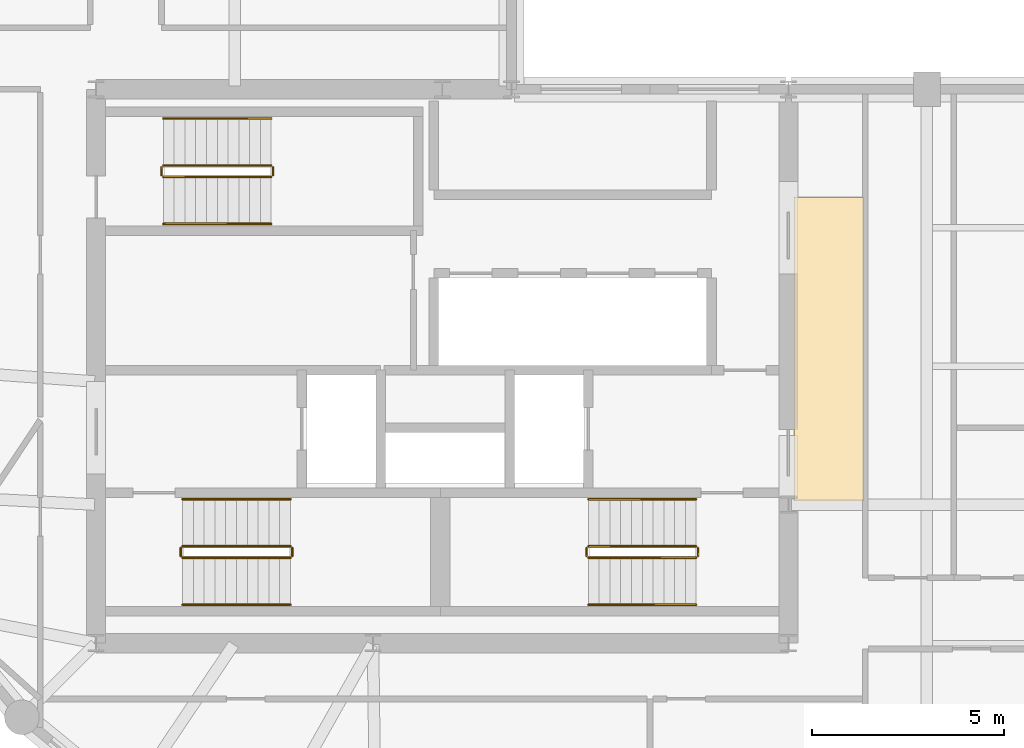
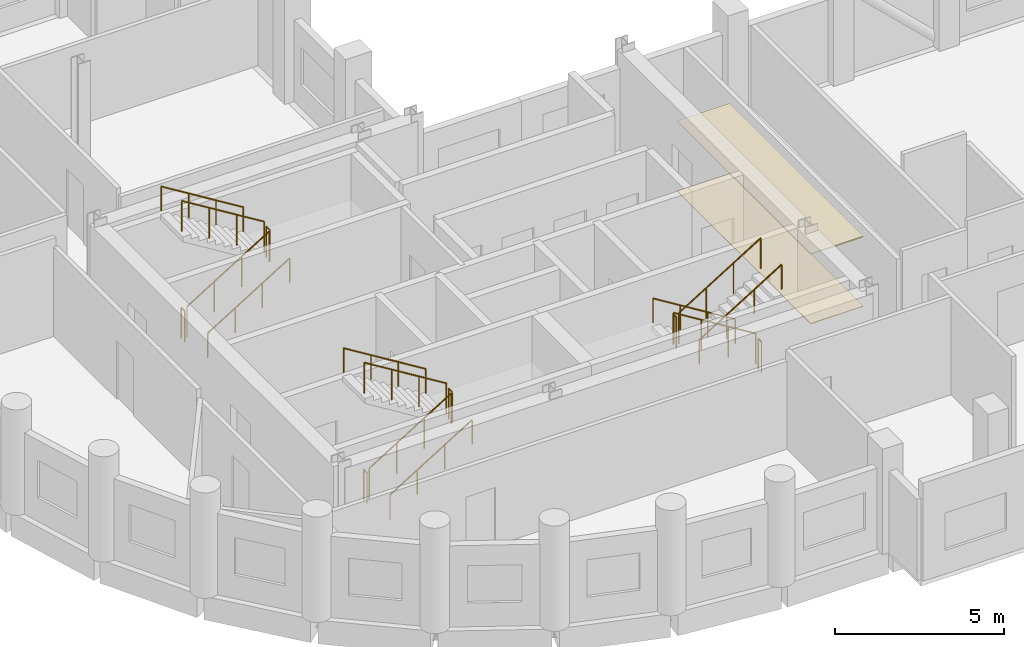
# One storey, part 7 of 7: 18 railings, 2 coverings.
"""IFC4 building model written with IfcOpenShell, lengths in metres."""

from ifc_helpers import new_model, si_unit, direction, frame, origin, origin_2d, place, context, subcontext, project, spatial, polyline, circle, outline, extrude, material, layer, layer_set, type_object, element, save


model = new_model("IFC4")

# Units and contexts
model_context = context("Model", 3, precision=1e-05, world=origin(), true_north=direction((0.0, 1.0)))
body_context = subcontext(model_context, "Body", "Model", "MODEL_VIEW")
ifc_project = project(units=[si_unit("LENGTHUNIT", "METRE"), si_unit("AREAUNIT", "SQUARE_METRE"), si_unit("VOLUMEUNIT", "CUBIC_METRE"), si_unit("PLANEANGLEUNIT", "RADIAN"), si_unit("MASSUNIT", "GRAM", prefix="KILO")], contexts=[model_context])

# Site, building, storey
site_placement = place(None, origin())
site = spatial("IfcSite", under=ifc_project, at=site_placement, CompositionType="ELEMENT")
building_placement = place(site_placement, origin())
building = spatial("IfcBuilding", under=site, at=building_placement, Name="Solnavia Interchange Tower", CompositionType="ELEMENT")
storey_placement = place(building_placement, frame((0.0, 0.0, 201.39990234375)))
storey = spatial("IfcBuildingStorey", under=building, at=storey_placement, Name="L50", CompositionType="ELEMENT", Elevation=201.39990234375)

# Coverings
ifc_material_1 = material(Name="Perforated Mineral-Fibre & Gypsum Ceiling", Category="gypsum")
ifc_layer_1 = layer(ifc_material_1, 0.0400390625)
ifc_layer_set_1 = layer_set([ifc_layer_1], Name="Perforated Mineral-Fibre & Gypsum Ceiling")
covering_type_1 = type_object("IfcCoveringType", Name="Covering-Ceiling-Acoustic40", PredefinedType="CEILING", material=ifc_layer_set_1)
covering_1_placement = place(storey_placement, frame((0.0, 0.0, 2.5)))
element("IfcCovering", 1, at=covering_1_placement, inside=storey, type_object=covering_type_1, Name="CLG-L50-01 Circulation suspended acoustic ceiling", PredefinedType="CEILING", context=body_context, shape_type="SweptSolid", body=[
    extrude(outline(polyline([(32.550048828125, 14.5), (34.35009765625, 14.5), (34.35009765625, 22.39990234375), (32.550048828125, 22.39990234375), (32.550048828125, 14.5)])), origin(), (0.0, 0.0, 1.0), 0.0400390625),
])
ifc_material_2 = material(Name="Engineered European Oak Flooring", Category="wood")
ifc_layer_2 = layer(ifc_material_2, 0.02001953125)
ifc_layer_set_2 = layer_set([ifc_layer_2], Name="Engineered European Oak Flooring")
covering_type_2 = type_object("IfcCoveringType", Name="Covering-Flooring-Timber20", PredefinedType="FLOORING", material=ifc_layer_set_2)
covering_2_placement = place(storey_placement, origin())
element("IfcCovering", 2, at=covering_2_placement, inside=storey, type_object=covering_type_2, Name="FLR-L50-01 Circulation floor finish", PredefinedType="FLOORING", context=body_context, shape_type="SweptSolid", body=[
    extrude(outline(polyline([(32.550048828125, 14.5), (34.35009765625, 14.5), (34.35009765625, 22.39990234375), (32.550048828125, 22.39990234375), (32.550048828125, 14.5)])), origin(), (0.0, 0.0, 1.0), 0.02001953125),
])

# Railings
ifc_material_3 = material(Name="Painted Steel Balustrade", Category="steel")
railing_type_1 = type_object("IfcRailingType", Name="Railing-StairGuard-1100", PredefinedType="GUARDRAIL", material=ifc_material_3)
railing_1_placement = place(storey_placement, frame((16.64990234375, 13.02001953125, 0.1728515625)))
element("IfcRailing", 3, at=railing_1_placement, inside=storey, type_object=railing_type_1, Name="L50 ST-1 stair guard 1", PredefinedType="GUARDRAIL", context=body_context, shape_type="SweptSolid", body=[
    extrude(circle(Radius=0.02392578125, at=origin_2d()), frame((0.0, 0.0, 1.09619140625), z_axis=(0.851089632645, 0.0, 0.525020415988), x_axis=(0.0, 1.0, 0.0)), (0.0, 0.0, 1.0), 3.2900390625),
    extrude(circle(Radius=0.02099609375, at=origin_2d()), origin(), (0.0, 0.0, 1.0), 1.072021484375),
    extrude(circle(Radius=0.02099609375, at=origin_2d()), frame((0.933349609375, 0.0, 0.57568359375)), (0.0, 0.0, 1.0), 1.072021484375),
    extrude(circle(Radius=0.02099609375, at=origin_2d()), frame((1.86669921875, 0.0, 1.151611328125)), (0.0, 0.0, 1.0), 1.072021484375),
    extrude(circle(Radius=0.02099609375, at=origin_2d()), frame((2.800048828125, 0.0, 1.727294921875)), (0.0, 0.0, 1.0), 1.072021484375),
])
railing_2_placement = place(storey_placement, frame((19.5, 13.070068359375, 1.900146484375)))
element("IfcRailing", 4, at=railing_2_placement, inside=storey, type_object=railing_type_1, Name="L50 ST-1 stair guard 2", PredefinedType="GUARDRAIL", context=body_context, shape_type="SweptSolid", body=[
    extrude(circle(Radius=0.02392578125, at=origin_2d()), frame((0.0, 0.0, 1.09619140625), z_axis=(0.0, 1.0, 0.0), x_axis=(-1.0, 0.0, 0.0)), (0.0, 0.0, 1.0), 0.199951171875),
    extrude(circle(Radius=0.02099609375, at=origin_2d()), origin(), (0.0, 0.0, 1.0), 1.072021484375),
    extrude(circle(Radius=0.02099609375, at=origin_2d()), frame((0.0, 0.199951171875, 0.0)), (0.0, 0.0, 1.0), 1.072021484375),
])
railing_3_placement = place(storey_placement, frame((19.449951171875, 13.320068359375, 2.07275390625)))
element("IfcRailing", 5, at=railing_3_placement, inside=storey, type_object=railing_type_1, Name="L50 ST-1 stair guard 3", PredefinedType="GUARDRAIL", context=body_context, shape_type="SweptSolid", body=[
    extrude(circle(Radius=0.02392578125, at=origin_2d()), frame((0.0, 0.0, 1.09619140625), z_axis=(-0.851089632645, 0.0, 0.525020415988), x_axis=(0.0, -1.0, 0.0)), (0.0, 0.0, 1.0), 3.2900390625),
    extrude(circle(Radius=0.02099609375, at=origin_2d()), origin(), (0.0, 0.0, 1.0), 1.072021484375),
    extrude(circle(Radius=0.02099609375, at=origin_2d()), frame((-0.933349609375, 0.0, 0.57568359375)), (0.0, 0.0, 1.0), 1.072021484375),
    extrude(circle(Radius=0.02099609375, at=origin_2d()), frame((-1.86669921875, 0.0, 1.151611328125)), (0.0, 0.0, 1.0), 1.072021484375),
    extrude(circle(Radius=0.02099609375, at=origin_2d()), frame((-2.800048828125, 0.0, 1.727294921875)), (0.0, 0.0, 1.0), 1.072021484375),
])
railing_4_placement = place(storey_placement, frame((16.60009765625, 13.070068359375, 0.0)))
element("IfcRailing", 6, at=railing_4_placement, inside=storey, type_object=railing_type_1, Name="L50 ST-1 stair guard 4", PredefinedType="GUARDRAIL", context=body_context, shape_type="SweptSolid", body=[
    extrude(circle(Radius=0.02392578125, at=origin_2d()), frame((0.0, 0.0, 1.09619140625), z_axis=(0.0, 1.0, 0.0), x_axis=(-1.0, 0.0, 0.0)), (0.0, 0.0, 1.0), 0.199951171875),
    extrude(circle(Radius=0.02099609375, at=origin_2d()), origin(), (0.0, 0.0, 1.0), 1.072021484375),
    extrude(circle(Radius=0.02099609375, at=origin_2d()), frame((0.0, 0.199951171875, 0.0)), (0.0, 0.0, 1.0), 1.072021484375),
])
railing_5_placement = place(storey_placement, frame((30.0, 13.320068359375, 0.1728515625)))
element("IfcRailing", 7, at=railing_5_placement, inside=storey, type_object=railing_type_1, Name="L50 ST-2 stair guard 1", PredefinedType="GUARDRAIL", context=body_context, shape_type="SweptSolid", body=[
    extrude(circle(Radius=0.02392578125, at=origin_2d()), frame((0.0, 0.0, 1.09619140625), z_axis=(-0.851089632645, 0.0, 0.525020415988), x_axis=(0.0, -1.0, 0.0)), (0.0, 0.0, 1.0), 3.2900390625),
    extrude(circle(Radius=0.02099609375, at=origin_2d()), origin(), (0.0, 0.0, 1.0), 1.072021484375),
    extrude(circle(Radius=0.02099609375, at=origin_2d()), frame((-0.933349609375, 0.0, 0.57568359375)), (0.0, 0.0, 1.0), 1.072021484375),
    extrude(circle(Radius=0.02099609375, at=origin_2d()), frame((-1.86669921875, 0.0, 1.151611328125)), (0.0, 0.0, 1.0), 1.072021484375),
    extrude(circle(Radius=0.02099609375, at=origin_2d()), frame((-2.800048828125, 0.0, 1.727294921875)), (0.0, 0.0, 1.0), 1.072021484375),
])
railing_6_placement = place(storey_placement, frame((27.14990234375, 13.27001953125, 1.900146484375)))
element("IfcRailing", 8, at=railing_6_placement, inside=storey, type_object=railing_type_1, Name="L50 ST-2 stair guard 2", PredefinedType="GUARDRAIL", context=body_context, shape_type="SweptSolid", body=[
    extrude(circle(Radius=0.02392578125, at=origin_2d()), frame((0.0, 0.0, 1.09619140625), z_axis=(0.0, -1.0, 0.0), x_axis=(1.0, 0.0, 0.0)), (0.0, 0.0, 1.0), 0.199951171875),
    extrude(circle(Radius=0.02099609375, at=origin_2d()), origin(), (0.0, 0.0, 1.0), 1.072021484375),
    extrude(circle(Radius=0.02099609375, at=origin_2d()), frame((0.0, -0.199951171875, 0.0)), (0.0, 0.0, 1.0), 1.072021484375),
])
railing_7_placement = place(storey_placement, frame((27.199951171875, 13.02001953125, 2.07275390625)))
element("IfcRailing", 9, at=railing_7_placement, inside=storey, type_object=railing_type_1, Name="L50 ST-2 stair guard 3", PredefinedType="GUARDRAIL", context=body_context, shape_type="SweptSolid", body=[
    extrude(circle(Radius=0.02392578125, at=origin_2d()), frame((0.0, 0.0, 1.09619140625), z_axis=(0.851089632645, 0.0, 0.525020415988), x_axis=(0.0, 1.0, 0.0)), (0.0, 0.0, 1.0), 3.2900390625),
    extrude(circle(Radius=0.02099609375, at=origin_2d()), origin(), (0.0, 0.0, 1.0), 1.072021484375),
    extrude(circle(Radius=0.02099609375, at=origin_2d()), frame((0.933349609375, 0.0, 0.57568359375)), (0.0, 0.0, 1.0), 1.072021484375),
    extrude(circle(Radius=0.02099609375, at=origin_2d()), frame((1.86669921875, 0.0, 1.151611328125)), (0.0, 0.0, 1.0), 1.072021484375),
    extrude(circle(Radius=0.02099609375, at=origin_2d()), frame((2.800048828125, 0.0, 1.727294921875)), (0.0, 0.0, 1.0), 1.072021484375),
])
railing_8_placement = place(storey_placement, frame((30.050048828125, 13.27001953125, 0.0)))
element("IfcRailing", 10, at=railing_8_placement, inside=storey, type_object=railing_type_1, Name="L50 ST-2 stair guard 4", PredefinedType="GUARDRAIL", context=body_context, shape_type="SweptSolid", body=[
    extrude(circle(Radius=0.02392578125, at=origin_2d()), frame((0.0, 0.0, 1.09619140625), z_axis=(0.0, -1.0, 0.0), x_axis=(1.0, 0.0, 0.0)), (0.0, 0.0, 1.0), 0.199951171875),
    extrude(circle(Radius=0.02099609375, at=origin_2d()), origin(), (0.0, 0.0, 1.0), 1.072021484375),
    extrude(circle(Radius=0.02099609375, at=origin_2d()), frame((0.0, -0.199951171875, 0.0)), (0.0, 0.0, 1.0), 1.072021484375),
])
railing_9_placement = place(storey_placement, frame((16.14990234375, 22.919921875, 0.1728515625)))
element("IfcRailing", 11, at=railing_9_placement, inside=storey, type_object=railing_type_1, Name="L50 ST-3 stair guard 1", PredefinedType="GUARDRAIL", context=body_context, shape_type="SweptSolid", body=[
    extrude(circle(Radius=0.02392578125, at=origin_2d()), frame((0.0, 0.0, 1.09619140625), z_axis=(0.851089632645, 0.0, 0.525020415988), x_axis=(0.0, 1.0, 0.0)), (0.0, 0.0, 1.0), 3.2900390625),
    extrude(circle(Radius=0.02099609375, at=origin_2d()), origin(), (0.0, 0.0, 1.0), 1.072021484375),
    extrude(circle(Radius=0.02099609375, at=origin_2d()), frame((0.933349609375, 0.0, 0.57568359375)), (0.0, 0.0, 1.0), 1.072021484375),
    extrude(circle(Radius=0.02099609375, at=origin_2d()), frame((1.86669921875, 0.0, 1.151611328125)), (0.0, 0.0, 1.0), 1.072021484375),
    extrude(circle(Radius=0.02099609375, at=origin_2d()), frame((2.800048828125, 0.0, 1.727294921875)), (0.0, 0.0, 1.0), 1.072021484375),
])
railing_10_placement = place(storey_placement, frame((19.0, 22.969970703125, 1.900146484375)))
element("IfcRailing", 12, at=railing_10_placement, inside=storey, type_object=railing_type_1, Name="L50 ST-3 stair guard 2", PredefinedType="GUARDRAIL", context=body_context, shape_type="SweptSolid", body=[
    extrude(circle(Radius=0.02392578125, at=origin_2d()), frame((0.0, 0.0, 1.09619140625), z_axis=(0.0, 1.0, 0.0), x_axis=(-1.0, 0.0, 0.0)), (0.0, 0.0, 1.0), 0.199951171875),
    extrude(circle(Radius=0.02099609375, at=origin_2d()), origin(), (0.0, 0.0, 1.0), 1.072021484375),
    extrude(circle(Radius=0.02099609375, at=origin_2d()), frame((0.0, 0.199951171875, 0.0)), (0.0, 0.0, 1.0), 1.072021484375),
])
railing_11_placement = place(storey_placement, frame((18.949951171875, 23.219970703125, 2.07275390625)))
element("IfcRailing", 13, at=railing_11_placement, inside=storey, type_object=railing_type_1, Name="L50 ST-3 stair guard 3", PredefinedType="GUARDRAIL", context=body_context, shape_type="SweptSolid", body=[
    extrude(circle(Radius=0.02392578125, at=origin_2d()), frame((0.0, 0.0, 1.09619140625), z_axis=(-0.851089632645, 0.0, 0.525020415988), x_axis=(0.0, -1.0, 0.0)), (0.0, 0.0, 1.0), 3.2900390625),
    extrude(circle(Radius=0.02099609375, at=origin_2d()), origin(), (0.0, 0.0, 1.0), 1.072021484375),
    extrude(circle(Radius=0.02099609375, at=origin_2d()), frame((-0.933349609375, 0.0, 0.57568359375)), (0.0, 0.0, 1.0), 1.072021484375),
    extrude(circle(Radius=0.02099609375, at=origin_2d()), frame((-1.86669921875, 0.0, 1.151611328125)), (0.0, 0.0, 1.0), 1.072021484375),
    extrude(circle(Radius=0.02099609375, at=origin_2d()), frame((-2.800048828125, 0.0, 1.727294921875)), (0.0, 0.0, 1.0), 1.072021484375),
])
railing_12_placement = place(storey_placement, frame((16.10009765625, 22.969970703125, 0.0)))
element("IfcRailing", 14, at=railing_12_placement, inside=storey, type_object=railing_type_1, Name="L50 ST-3 stair guard 4", PredefinedType="GUARDRAIL", context=body_context, shape_type="SweptSolid", body=[
    extrude(circle(Radius=0.02392578125, at=origin_2d()), frame((0.0, 0.0, 1.09619140625), z_axis=(0.0, 1.0, 0.0), x_axis=(-1.0, 0.0, 0.0)), (0.0, 0.0, 1.0), 0.199951171875),
    extrude(circle(Radius=0.02099609375, at=origin_2d()), origin(), (0.0, 0.0, 1.0), 1.072021484375),
    extrude(circle(Radius=0.02099609375, at=origin_2d()), frame((0.0, 0.199951171875, 0.0)), (0.0, 0.0, 1.0), 1.072021484375),
])
ifc_material_4 = material(Name="Brushed Stainless Steel", Category="steel")
railing_type_2 = type_object("IfcRailingType", Name="Railing-StairHandrail-900", PredefinedType="HANDRAIL", material=ifc_material_4)
railing_13_placement = place(storey_placement, frame((16.64990234375, 11.800048828125, 0.1728515625)))
element("IfcRailing", 15, at=railing_13_placement, inside=storey, type_object=railing_type_2, Name="L50 ST-1 stair handrail 1", PredefinedType="HANDRAIL", context=body_context, shape_type="SweptSolid", body=[
    extrude(circle(Radius=0.02392578125, at=origin_2d()), frame((0.0, 0.0, 0.8759765625), z_axis=(0.851089632645, 0.0, 0.525020415988), x_axis=(0.0, 1.0, 0.0)), (0.0, 0.0, 1.0), 3.2900390625),
    extrude(circle(Radius=0.02099609375, at=origin_2d()), origin(), (0.0, 0.0, 1.0), 0.851806640625),
    extrude(circle(Radius=0.02099609375, at=origin_2d()), frame((0.933349609375, 0.0, 0.57568359375)), (0.0, 0.0, 1.0), 0.851806640625),
    extrude(circle(Radius=0.02099609375, at=origin_2d()), frame((1.86669921875, 0.0, 1.151611328125)), (0.0, 0.0, 1.0), 0.851806640625),
    extrude(circle(Radius=0.02099609375, at=origin_2d()), frame((2.800048828125, 0.0, 1.727294921875)), (0.0, 0.0, 1.0), 0.851806640625),
])
for number, where, name in (
    (16, (19.449951171875, 14.5400390625, 2.07275390625), "L50 ST-1 stair handrail 2"),
    (17, (30.0, 14.5400390625, 0.1728515625), "L50 ST-2 stair handrail 1"),
):
    element("IfcRailing", number, at=place(storey_placement, frame(where)), inside=storey, type_object=railing_type_2, Name=name, PredefinedType="HANDRAIL", context=body_context, shape_type="SweptSolid", body=[
        extrude(circle(Radius=0.02392578125, at=origin_2d()), frame((0.0, 0.0, 0.8759765625), z_axis=(-0.851089632645, 0.0, 0.525020415988), x_axis=(0.0, -1.0, 0.0)), (0.0, 0.0, 1.0), 3.2900390625),
        extrude(circle(Radius=0.02099609375, at=origin_2d()), origin(), (0.0, 0.0, 1.0), 0.851806640625),
        extrude(circle(Radius=0.02099609375, at=origin_2d()), frame((-0.933349609375, 0.0, 0.57568359375)), (0.0, 0.0, 1.0), 0.851806640625),
        extrude(circle(Radius=0.02099609375, at=origin_2d()), frame((-1.86669921875, 0.0, 1.151611328125)), (0.0, 0.0, 1.0), 0.851806640625),
        extrude(circle(Radius=0.02099609375, at=origin_2d()), frame((-2.800048828125, 0.0, 1.727294921875)), (0.0, 0.0, 1.0), 0.851806640625),
    ])
for number, where, name in (
    (18, (27.199951171875, 11.800048828125, 2.07275390625), "L50 ST-2 stair handrail 2"),
    (19, (16.14990234375, 21.699951171875, 0.1728515625), "L50 ST-3 stair handrail 1"),
):
    element("IfcRailing", number, at=place(storey_placement, frame(where)), inside=storey, type_object=railing_type_2, Name=name, PredefinedType="HANDRAIL", context=body_context, shape_type="SweptSolid", body=[
        extrude(circle(Radius=0.02392578125, at=origin_2d()), frame((0.0, 0.0, 0.8759765625), z_axis=(0.851089632645, 0.0, 0.525020415988), x_axis=(0.0, 1.0, 0.0)), (0.0, 0.0, 1.0), 3.2900390625),
        extrude(circle(Radius=0.02099609375, at=origin_2d()), origin(), (0.0, 0.0, 1.0), 0.851806640625),
        extrude(circle(Radius=0.02099609375, at=origin_2d()), frame((0.933349609375, 0.0, 0.57568359375)), (0.0, 0.0, 1.0), 0.851806640625),
        extrude(circle(Radius=0.02099609375, at=origin_2d()), frame((1.86669921875, 0.0, 1.151611328125)), (0.0, 0.0, 1.0), 0.851806640625),
        extrude(circle(Radius=0.02099609375, at=origin_2d()), frame((2.800048828125, 0.0, 1.727294921875)), (0.0, 0.0, 1.0), 0.851806640625),
    ])
railing_14_placement = place(storey_placement, frame((18.949951171875, 24.43994140625, 2.07275390625)))
element("IfcRailing", 20, at=railing_14_placement, inside=storey, type_object=railing_type_2, Name="L50 ST-3 stair handrail 2", PredefinedType="HANDRAIL", context=body_context, shape_type="SweptSolid", body=[
    extrude(circle(Radius=0.02392578125, at=origin_2d()), frame((0.0, 0.0, 0.8759765625), z_axis=(-0.851089632645, 0.0, 0.525020415988), x_axis=(0.0, -1.0, 0.0)), (0.0, 0.0, 1.0), 3.2900390625),
    extrude(circle(Radius=0.02099609375, at=origin_2d()), origin(), (0.0, 0.0, 1.0), 0.851806640625),
    extrude(circle(Radius=0.02099609375, at=origin_2d()), frame((-0.933349609375, 0.0, 0.57568359375)), (0.0, 0.0, 1.0), 0.851806640625),
    extrude(circle(Radius=0.02099609375, at=origin_2d()), frame((-1.86669921875, 0.0, 1.151611328125)), (0.0, 0.0, 1.0), 0.851806640625),
    extrude(circle(Radius=0.02099609375, at=origin_2d()), frame((-2.800048828125, 0.0, 1.727294921875)), (0.0, 0.0, 1.0), 0.851806640625),
])

save(model, "model.ifc")
